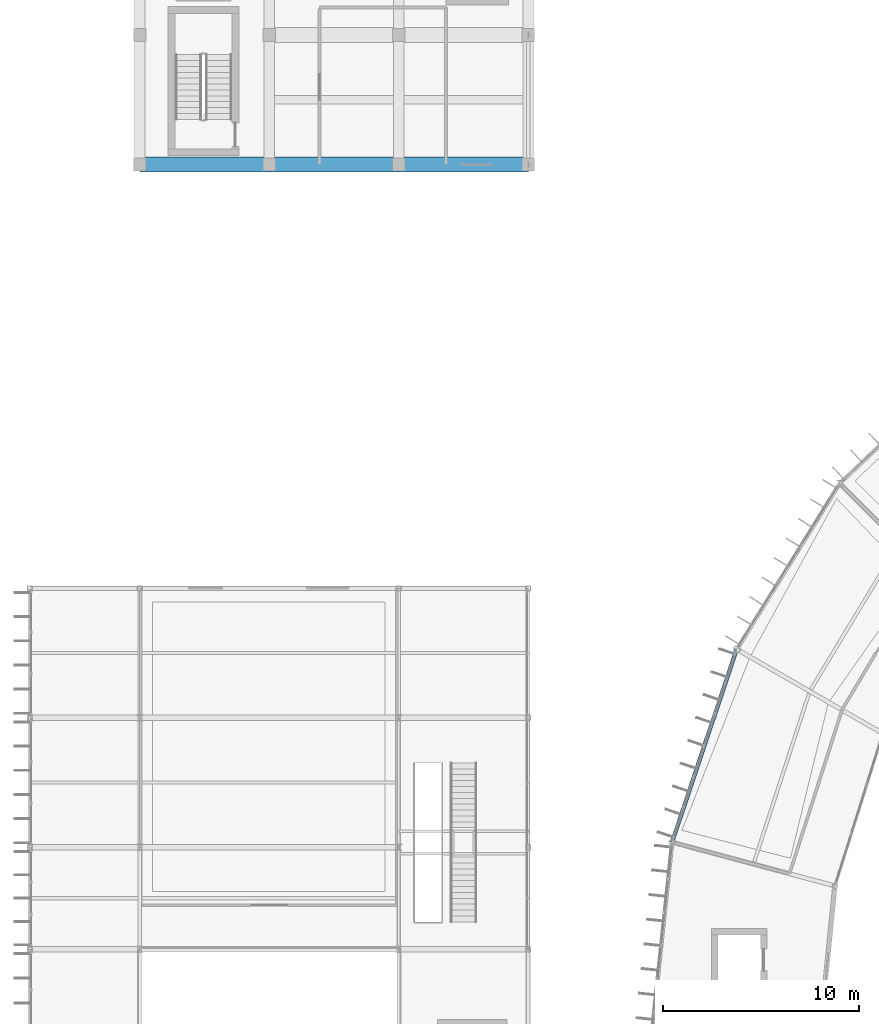
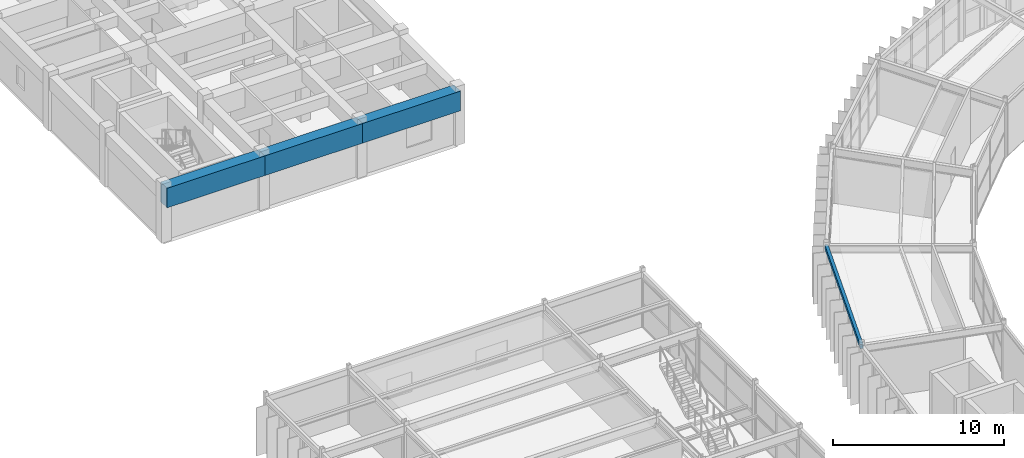
# One storey, part 72 of 147: 4 beams.
"""IFC4 building model written with IfcOpenShell, lengths in metres."""

from ifc_helpers import new_model, si_unit, direction, frame, origin, origin_2d, place, context, subcontext, project, spatial, rectangle, hollow_rectangle, extrude, material, material_profile, profile_set, type_object, element, save


model = new_model("IFC4")

# Units and contexts
model_context = context("Model", 3, precision=1e-05, world=origin(), true_north=direction((0.0, 1.0)))
body_context = subcontext(model_context, "Body", "Model", "MODEL_VIEW")
ifc_project = project(units=[si_unit("LENGTHUNIT", "METRE"), si_unit("AREAUNIT", "SQUARE_METRE"), si_unit("VOLUMEUNIT", "CUBIC_METRE"), si_unit("PLANEANGLEUNIT", "RADIAN"), si_unit("MASSUNIT", "GRAM", prefix="KILO")], contexts=[model_context])

# Site, building, storey
site_placement = place(None, origin())
site = spatial("IfcSite", under=ifc_project, at=site_placement, CompositionType="ELEMENT")
building_placement = place(site_placement, origin())
building = spatial("IfcBuilding", under=site, at=building_placement, Name="Karori Crest Natural Sciences Institute", CompositionType="ELEMENT")
storey_placement = place(building_placement, frame((0.0, 0.0, 9.10009765625)))
storey = spatial("IfcBuildingStorey", under=building, at=storey_placement, Name="L02", CompositionType="ELEMENT", Elevation=9.10009765625)

# Beams
ifc_material_1 = material(Name="Hollow structural steel AS/NZS 1163 Grade C350", Category="steel")
ifc_material_profile_1 = material_profile(ifc_material_1, hollow_rectangle(XDim=0.199951171875, YDim=0.300048828125, WallThickness=0.010009765625, at=origin_2d()), Name="RHS300x200x10")
ifc_profile_set_1 = profile_set([ifc_material_profile_1], Name="Hollow structural steel AS/NZS 1163 Grade C350")
beam_type_1 = type_object("IfcBeamType", Name="BT-15", PredefinedType="SPANDREL", material=ifc_profile_set_1)
beam_1_placement = place(storey_placement, frame((37.8212890625, 70.300048828125, 3.789794921875), z_axis=(-0.317681238028, -0.948197569605, 0.0), x_axis=(0.948197569605, -0.317681238028, 0.0)))
element("IfcBeam", 1, at=beam_1_placement, inside=storey, type_object=beam_type_1, Name="Beam B-0309", PredefinedType="SPANDREL", context=body_context, shape_type="SweptSolid", body=[
    extrude(hollow_rectangle(XDim=0.199951171875, YDim=0.300048828125, WallThickness=0.010009765625, at=origin_2d()), origin(), (0.0, 0.0, 1.0), 10.3779296875),
])
ifc_material_2 = material(Name="Concrete 50 MPa", Category="concrete")
ifc_material_profile_2 = material_profile(ifc_material_2, rectangle(XDim=0.75, YDim=1.39990234375, at=origin_2d()), Name="RCB750x1400")
ifc_profile_set_2 = profile_set([ifc_material_profile_2], Name="Concrete 50 MPa")
beam_type_2 = type_object("IfcBeamType", Name="BT-17", PredefinedType="BEAM", material=ifc_profile_set_2)
for number, where, z_axis, x_axis, name in (
    (2, (7.39990234375, 95.0, 3.14990234375), (1.0, 0.0, 0.0), (0.0, 1.0, 0.0), "Beam B-1551"),
    (3, (14.0, 95.0, 3.14990234375), (1.0, 0.0, 0.0), (0.0, 1.0, 0.0), "Beam B-1552"),
):
    element("IfcBeam", number, at=place(storey_placement, frame(where, z_axis=z_axis, x_axis=x_axis)), inside=storey, type_object=beam_type_2, Name=name, PredefinedType="BEAM", context=body_context, shape_type="SweptSolid", body=[
        extrude(rectangle(XDim=0.75, YDim=1.39990234375, at=origin_2d()), origin(), (0.0, 0.0, 1.0), 6.60009765625),
    ])
beam_2_placement = place(storey_placement, frame((20.60009765625, 95.0, 3.14990234375), z_axis=(1.0, 0.0, 0.0), x_axis=(0.0, 1.0, 0.0)))
element("IfcBeam", 4, at=beam_2_placement, inside=storey, type_object=beam_type_2, Name="Beam B-1553", PredefinedType="BEAM", context=body_context, shape_type="SweptSolid", body=[
    extrude(rectangle(XDim=0.75, YDim=1.39990234375, at=origin_2d()), origin(), (0.0, 0.0, 1.0), 6.599853515625),
])

save(model, "model.ifc")
